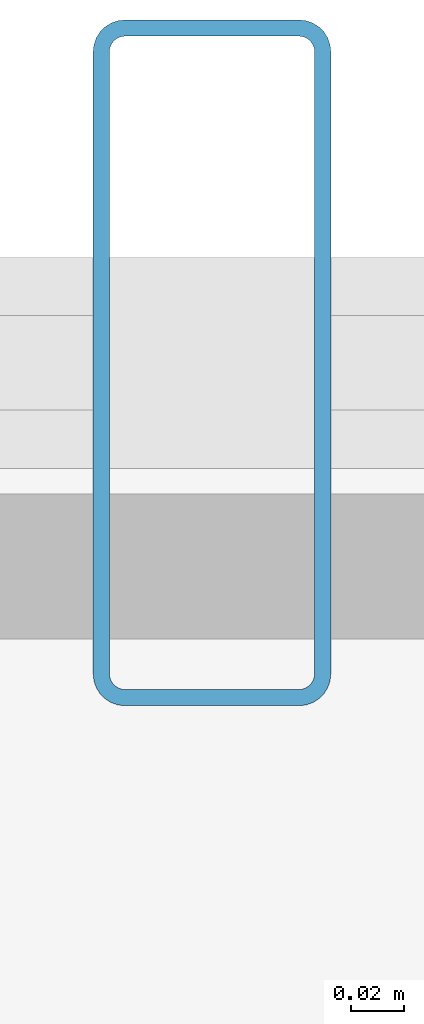
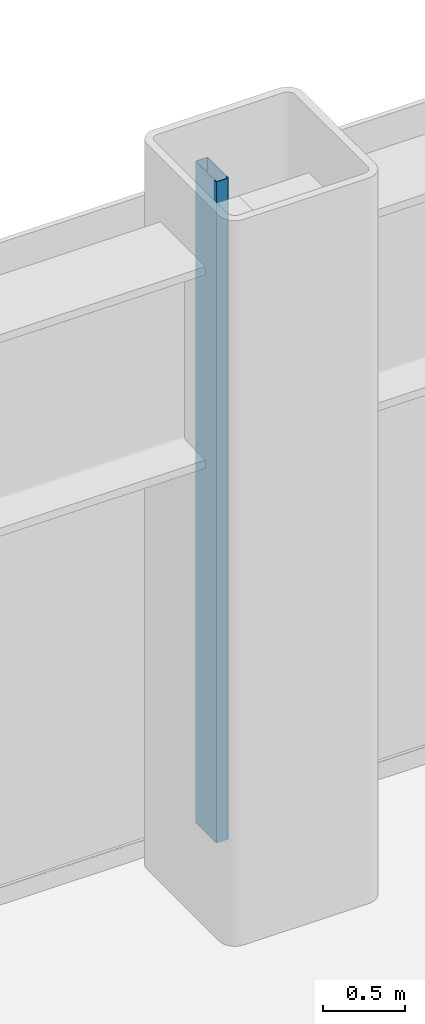
# One storey, part 10 of 24: 1 member, 1 element without a shape of its own.
"""IFC4 building model written with IfcOpenShell, lengths in metres."""

from ifc_helpers import new_model, si_unit, direction, frame, origin, origin_2d, place, context, subcontext, project, spatial, hollow_rectangle, extrude, source, transform, mapped, material, layer, layer_set, material_profile, profile_set, type_object, element, aggregate, save


model = new_model("IFC4")

# Units and contexts
model_context = context("Model", 3, precision=1e-05, world=origin(), true_north=direction((0.0, 1.0)))
body_context = subcontext(model_context, "Body", "Model", "MODEL_VIEW")
ifc_project = project(units=[si_unit("LENGTHUNIT", "METRE"), si_unit("AREAUNIT", "SQUARE_METRE"), si_unit("VOLUMEUNIT", "CUBIC_METRE"), si_unit("PLANEANGLEUNIT", "RADIAN"), si_unit("MASSUNIT", "GRAM", prefix="KILO")], contexts=[model_context])

# Site, building, storey
site_placement = place(None, origin())
site = spatial("IfcSite", under=ifc_project, at=site_placement, CompositionType="ELEMENT")
building_placement = place(site_placement, origin())
building = spatial("IfcBuilding", under=site, at=building_placement, Name="Nefas-Gora Pilgrimage Tower", CompositionType="ELEMENT")
storey_placement = place(building_placement, frame((0.0, 0.0, 22.199951171875)))
storey = spatial("IfcBuildingStorey", under=building, at=storey_placement, Name="L04", CompositionType="ELEMENT", Elevation=22.199951171875)

# Curtain wall, member
ifc_material_1 = material(Name="Dark ceramic-fritted solar-control aluminium-glass curtain wall", Category="aluminium")
ifc_layer = layer(ifc_material_1, 0.219970703125)
ifc_layer_set = layer_set([ifc_layer], Name="Dark ceramic-fritted solar-control aluminium-glass curtain wall")
curtain_wall_type = type_object("IfcCurtainWallType", Name="CW-SYS-1", PredefinedType="NOTDEFINED", material=ifc_layer_set)
curtain_wall_placement = place(storey_placement, origin())
curtain_wall = element("IfcCurtainWall", 1, at=curtain_wall_placement, inside=storey, type_object=curtain_wall_type, Name="L04 Unitised Curtain Wall CW1", PredefinedType="NOTDEFINED")
ifc_material_2 = material(Name="Anodised architectural aluminium", Category="aluminium")
ifc_material_profile = material_profile(ifc_material_2, hollow_rectangle(XDim=0.090087890625, YDim=0.260009765625, WallThickness=0.006103515625, InnerFilletRadius=0.006103515625, OuterFilletRadius=0.011962890625, at=origin_2d()), Name="ALU MULLION 90x260")
ifc_profile_set = profile_set([ifc_material_profile], Name="Anodised architectural aluminium")
member_type = type_object("IfcMemberType", Name="CWM-MUL-1", PredefinedType="MULLION", material=ifc_profile_set)
shared_shape = source(origin(), body_context, "Body", "SweptSolid", [
    extrude(hollow_rectangle(XDim=0.090087890625, YDim=0.260009765625, WallThickness=0.006103515625, InnerFilletRadius=0.006103515625, OuterFilletRadius=0.011962890625, at=origin_2d()), origin(), (0.0, 0.0, 1.0), 4.920166015625),
])
member_placement = place(storey_placement, frame((0.0, 25.199951171875, 0.0), z_axis=(0.0, 0.0, 1.0), x_axis=(-1.0, 0.0, 0.0)))
member = element("IfcMember", 2, at=member_placement, type_object=member_type, Name="CW1 Mullion 2", PredefinedType="MULLION", context=body_context, shape_type="MappedRepresentation", body=[
    mapped(shared_shape, transform((0.0, 0.0, 0.0), x_axis=(1.0, 0.0, 0.0), y_axis=(0.0, 1.0, 0.0), z_axis=(0.0, 0.0, 1.0), scale=1.0)),
])
aggregate(curtain_wall, [member])

save(model, "model.ifc")
